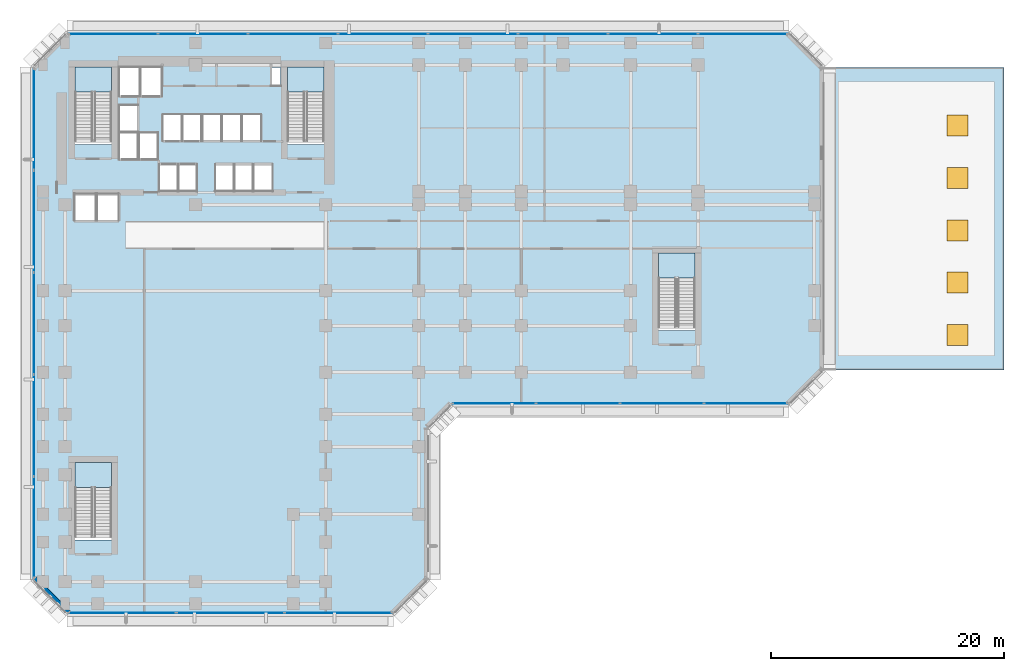
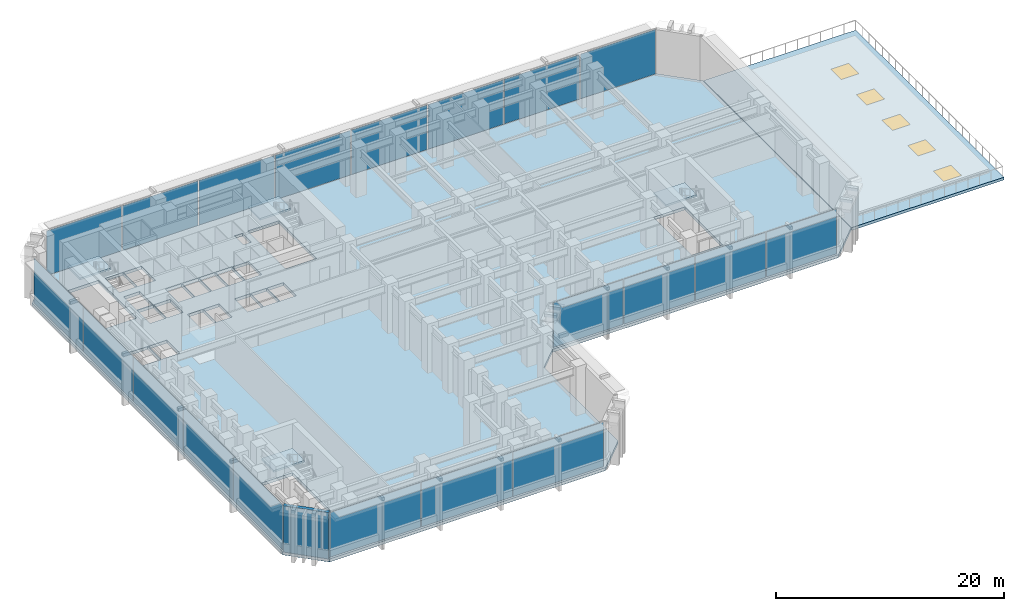
# One storey, part 6 of 16: 20 plates, 6 slabs, 5 windows, 1 wall, 5 openings, 8 elements without a shape of their own.
"""IFC4 building model written with IfcOpenShell, lengths in metres."""

from ifc_helpers import new_model, si_unit, direction, frame, frame_2d, origin, origin_2d, place, context, subcontext, project, spatial, polyline, rectangle, outline, extrude, material, layer, layer_set, type_object, element, fill, aggregate, save


model = new_model("IFC4")

# Units and contexts
model_context = context("Model", 3, precision=1e-05, world=origin(), true_north=direction((0.0, 1.0)))
body_context = subcontext(model_context, "Body", "Model", "MODEL_VIEW")
ifc_project = project(units=[si_unit("LENGTHUNIT", "METRE"), si_unit("AREAUNIT", "SQUARE_METRE"), si_unit("VOLUMEUNIT", "CUBIC_METRE"), si_unit("PLANEANGLEUNIT", "RADIAN"), si_unit("MASSUNIT", "GRAM", prefix="KILO")], contexts=[model_context])

# Site, building, storey
site_placement = place(None, origin())
site = spatial("IfcSite", under=ifc_project, at=site_placement, CompositionType="ELEMENT")
building_placement = place(site_placement, origin())
building = spatial("IfcBuilding", under=site, at=building_placement, Name="Kefirva Bronze Tower", CompositionType="ELEMENT")
storey_placement = place(building_placement, frame((0.0, 0.0, 11.219970703125)))
storey = spatial("IfcBuildingStorey", under=building, at=storey_placement, Name="L02", CompositionType="ELEMENT", Elevation=11.219970703125)

# Slab
ifc_material_1 = material(Name="Concrete C40/50", Category="concrete")
ifc_layer_1 = layer(ifc_material_1, 0.320068359375, Name="Concrete C40/50")
ifc_layer_set_1 = layer_set([ifc_layer_1], Name="Concrete C40/50")
slab_type_1 = type_object("IfcSlabType", Name="RC Podium Floor Slab 320mm", PredefinedType="FLOOR", material=ifc_layer_set_1)
slab_1_placement = place(storey_placement, frame((0.0, 0.0, -0.320068359375)))
element("IfcSlab", 1, at=slab_1_placement, inside=storey, type_object=slab_type_1, Name="L02 Structural Floor Slab", PredefinedType="FLOOR", context=body_context, shape_type="SweptSolid", body=[
    extrude(outline(polyline([(-2.0, 1.0), (-2.0, 45.0), (1.0, 48.0), (63.0, 48.0), (66.0, 45.0), (66.0, 19.0), (63.0, 16.0), (34.0, 16.0), (32.0, 14.0), (32.0, 1.0), (29.0, -2.0), (1.0, -2.0), (-2.0, 1.0)]), holes=[polyline([(54.949951171875, 22.39990234375), (54.949951171875, 29.050048828125), (51.800048828125, 29.050048828125), (51.800048828125, 22.39990234375), (54.949951171875, 22.39990234375)]), polyline([(19.89990234375, 38.39990234375), (23.050048828125, 38.39990234375), (23.050048828125, 45.050048828125), (19.89990234375, 45.050048828125), (19.89990234375, 38.39990234375)]), polyline([(18.52001953125, 43.419921875), (19.320068359375, 43.419921875), (19.320068359375, 45.0), (18.52001953125, 45.0), (18.52001953125, 43.419921875)]), polyline([(17.0, 34.35009765625), (18.64990234375, 34.35009765625), (18.64990234375, 36.64990234375), (17.0, 36.64990234375), (17.0, 34.35009765625)]), polyline([(17.64990234375, 38.679931640625), (17.64990234375, 40.97998046875), (16.0, 40.97998046875), (16.0, 38.679931640625), (17.64990234375, 38.679931640625)]), polyline([(15.35009765625, 34.35009765625), (16.949951171875, 34.35009765625), (16.949951171875, 36.64990234375), (15.35009765625, 36.64990234375), (15.35009765625, 34.35009765625)]), polyline([(14.300048828125, 38.679931640625), (15.929931640625, 38.679931640625), (15.929931640625, 40.97998046875), (14.300048828125, 40.97998046875), (14.300048828125, 38.679931640625)]), polyline([(15.300048828125, 34.35009765625), (15.300048828125, 36.64990234375), (13.699951171875, 36.64990234375), (13.699951171875, 34.35009765625), (15.300048828125, 34.35009765625)]), polyline([(12.60009765625, 38.679931640625), (14.22998046875, 38.679931640625), (14.22998046875, 40.97998046875), (12.60009765625, 40.97998046875), (12.60009765625, 38.679931640625)]), polyline([(12.530029296875, 38.679931640625), (12.530029296875, 40.97998046875), (10.89990234375, 40.97998046875), (10.89990234375, 38.679931640625), (12.530029296875, 38.679931640625)]), polyline([(12.139892578125, 34.35009765625), (12.139892578125, 36.64990234375), (10.5400390625, 36.64990234375), (10.5400390625, 34.35009765625), (12.139892578125, 34.35009765625)]), polyline([(9.199951171875, 38.679931640625), (10.830078125, 38.679931640625), (10.830078125, 40.97998046875), (9.199951171875, 40.97998046875), (9.199951171875, 38.679931640625)]), polyline([(8.89990234375, 34.35009765625), (10.5, 34.35009765625), (10.5, 36.64990234375), (8.89990234375, 36.64990234375), (8.89990234375, 34.35009765625)]), polyline([(7.300048828125, 42.550048828125), (9.1201171875, 42.550048828125), (9.1201171875, 45.050048828125), (7.300048828125, 45.050048828125), (7.300048828125, 42.550048828125)]), polyline([(8.780029296875, 37.10009765625), (8.780029296875, 39.39990234375), (7.139892578125, 39.39990234375), (7.139892578125, 37.10009765625), (8.780029296875, 37.10009765625)]), polyline([(5.419921875, 42.550048828125), (7.239990234375, 42.550048828125), (7.239990234375, 45.050048828125), (5.419921875, 45.050048828125), (5.419921875, 42.550048828125)]), polyline([(5.419921875, 39.47998046875), (7.06005859375, 39.47998046875), (7.06005859375, 41.780029296875), (5.419921875, 41.780029296875), (5.419921875, 39.47998046875)]), polyline([(5.419921875, 37.10009765625), (7.06005859375, 37.10009765625), (7.06005859375, 39.39990234375), (5.419921875, 39.39990234375), (5.419921875, 37.10009765625)]), polyline([(5.39990234375, 31.85009765625), (5.39990234375, 34.14990234375), (3.550048828125, 34.14990234375), (3.550048828125, 31.85009765625), (5.39990234375, 31.85009765625)]), polyline([(4.800048828125, 38.39990234375), (4.800048828125, 45.050048828125), (1.64990234375, 45.050048828125), (1.64990234375, 38.39990234375), (4.800048828125, 38.39990234375)]), polyline([(4.800048828125, 4.39990234375), (4.800048828125, 11.050048828125), (1.64990234375, 11.050048828125), (1.64990234375, 4.39990234375), (4.800048828125, 4.39990234375)]), polyline([(3.449951171875, 31.85009765625), (3.449951171875, 34.14990234375), (1.60009765625, 34.14990234375), (1.60009765625, 31.85009765625), (3.449951171875, 31.85009765625)])]), origin(), (0.0, 0.0, 1.0), 0.320068359375),
])

# Slab, openings, windows
ifc_layer_2 = layer(ifc_material_1, 0.300048828125, Name="Concrete C40/50")
ifc_layer_set_2 = layer_set([ifc_layer_2], Name="Concrete C40/50")
slab_type_2 = type_object("IfcSlabType", Name="RC Podium Outdoor Terrace Slab 300mm", PredefinedType="ROOF", material=ifc_layer_set_2)
slab_2_placement = place(storey_placement, frame((0.0, 0.0, -0.300048828125)))
slab_2 = element("IfcSlab", 2, at=slab_2_placement, inside=storey, type_object=slab_type_2, Name="L02 Planted Sky-Garden Terrace Slab", PredefinedType="ROOF", context=body_context, shape_type="SweptSolid", body=[
    extrude(outline(polyline([(66.050048828125, 19.0), (81.5, 19.0), (81.5, 45.0), (66.050048828125, 45.0), (66.050048828125, 19.0)]), holes=[polyline([(76.60009765625, 21.10009765625), (78.39990234375, 21.10009765625), (78.39990234375, 22.89990234375), (76.60009765625, 22.89990234375), (76.60009765625, 21.10009765625)]), polyline([(76.60009765625, 25.60009765625), (78.39990234375, 25.60009765625), (78.39990234375, 27.39990234375), (76.60009765625, 27.39990234375), (76.60009765625, 25.60009765625)]), polyline([(76.60009765625, 30.10009765625), (78.39990234375, 30.10009765625), (78.39990234375, 31.89990234375), (76.60009765625, 31.89990234375), (76.60009765625, 30.10009765625)]), polyline([(76.60009765625, 34.60009765625), (78.39990234375, 34.60009765625), (78.39990234375, 36.39990234375), (76.60009765625, 36.39990234375), (76.60009765625, 34.60009765625)]), polyline([(76.60009765625, 39.10009765625), (78.39990234375, 39.10009765625), (78.39990234375, 40.89990234375), (76.60009765625, 40.89990234375), (76.60009765625, 39.10009765625)])]), origin(), (0.0, 0.0, 1.0), 0.300048828125),
])
opening_1_placement = place(slab_2_placement, frame((77.5, 22.0, 0.0)))
opening_1 = element("IfcOpeningElement", 3, at=opening_1_placement, cuts=slab_2, Name="Opening SK-01", PredefinedType="OPENING", context=body_context, shape_type="SweptSolid", body=[
    extrude(rectangle(XDim=1.800048828125, YDim=1.800048828125, at=origin_2d()), frame((0.0, 0.0, -0.010009765625)), (0.0, 0.0, 1.0), 0.320068359375),
])
opening_2_placement = place(slab_2_placement, frame((77.5, 26.5, 0.0)))
opening_2 = element("IfcOpeningElement", 4, at=opening_2_placement, cuts=slab_2, Name="Opening SK-01", PredefinedType="OPENING", context=body_context, shape_type="SweptSolid", body=[
    extrude(rectangle(XDim=1.800048828125, YDim=1.800048828125, at=origin_2d()), frame((0.0, 0.0, -0.010009765625)), (0.0, 0.0, 1.0), 0.320068359375),
])
opening_3_placement = place(slab_2_placement, frame((77.5, 31.0, 0.0)))
opening_3 = element("IfcOpeningElement", 5, at=opening_3_placement, cuts=slab_2, Name="Opening SK-01", PredefinedType="OPENING", context=body_context, shape_type="SweptSolid", body=[
    extrude(rectangle(XDim=1.800048828125, YDim=1.800048828125, at=origin_2d()), frame((0.0, 0.0, -0.010009765625)), (0.0, 0.0, 1.0), 0.320068359375),
])
opening_4_placement = place(slab_2_placement, frame((77.5, 35.5, 0.0)))
opening_4 = element("IfcOpeningElement", 6, at=opening_4_placement, cuts=slab_2, Name="Opening SK-01", PredefinedType="OPENING", context=body_context, shape_type="SweptSolid", body=[
    extrude(rectangle(XDim=1.800048828125, YDim=1.800048828125, at=origin_2d()), frame((0.0, 0.0, -0.010009765625)), (0.0, 0.0, 1.0), 0.320068359375),
])
opening_5_placement = place(slab_2_placement, frame((77.5, 40.0, 0.0)))
opening_5 = element("IfcOpeningElement", 7, at=opening_5_placement, cuts=slab_2, Name="Opening SK-01", PredefinedType="OPENING", context=body_context, shape_type="SweptSolid", body=[
    extrude(rectangle(XDim=1.800048828125, YDim=1.800048828125, at=origin_2d()), frame((0.0, 0.0, -0.010009765625)), (0.0, 0.0, 1.0), 0.320068359375),
])
ifc_material_2 = material(Name="Laminated low-E double glazing", Category="glass")
window_type = type_object("IfcWindowType", Name="Podium Concourse Skylight 1800x1800", PartitioningType="SINGLE_PANEL", PredefinedType="SKYLIGHT", material=ifc_material_2)
window_1_placement = place(opening_1_placement, frame((0.0, 0.0, 0.25)))
window_1 = element("IfcWindow", 8, at=window_1_placement, inside=storey, type_object=window_type, Name="L02 Podium Terrace Skylight 1", OverallHeight=1.800048828125, OverallWidth=1.800048828125, PartitioningType="SINGLE_PANEL", PredefinedType="SKYLIGHT", context=body_context, shape_type="SweptSolid", body=[
    extrude(rectangle(XDim=1.800048828125, YDim=1.800048828125, at=origin_2d()), origin(), (0.0, 0.0, 1.0), 0.050048828125),
])
fill(opening_1, window_1)
window_2_placement = place(opening_2_placement, frame((0.0, 0.0, 0.25)))
window_2 = element("IfcWindow", 9, at=window_2_placement, inside=storey, type_object=window_type, Name="L02 Podium Terrace Skylight 2", OverallHeight=1.800048828125, OverallWidth=1.800048828125, PartitioningType="SINGLE_PANEL", PredefinedType="SKYLIGHT", context=body_context, shape_type="SweptSolid", body=[
    extrude(rectangle(XDim=1.800048828125, YDim=1.800048828125, at=origin_2d()), origin(), (0.0, 0.0, 1.0), 0.050048828125),
])
fill(opening_2, window_2)
window_3_placement = place(opening_3_placement, frame((0.0, 0.0, 0.25)))
window_3 = element("IfcWindow", 10, at=window_3_placement, inside=storey, type_object=window_type, Name="L02 Podium Terrace Skylight 3", OverallHeight=1.800048828125, OverallWidth=1.800048828125, PartitioningType="SINGLE_PANEL", PredefinedType="SKYLIGHT", context=body_context, shape_type="SweptSolid", body=[
    extrude(rectangle(XDim=1.800048828125, YDim=1.800048828125, at=origin_2d()), origin(), (0.0, 0.0, 1.0), 0.050048828125),
])
fill(opening_3, window_3)
window_4_placement = place(opening_4_placement, frame((0.0, 0.0, 0.25)))
window_4 = element("IfcWindow", 11, at=window_4_placement, inside=storey, type_object=window_type, Name="L02 Podium Terrace Skylight 4", OverallHeight=1.800048828125, OverallWidth=1.800048828125, PartitioningType="SINGLE_PANEL", PredefinedType="SKYLIGHT", context=body_context, shape_type="SweptSolid", body=[
    extrude(rectangle(XDim=1.800048828125, YDim=1.800048828125, at=origin_2d()), origin(), (0.0, 0.0, 1.0), 0.050048828125),
])
fill(opening_4, window_4)
window_5_placement = place(opening_5_placement, frame((0.0, 0.0, 0.25)))
window_5 = element("IfcWindow", 12, at=window_5_placement, inside=storey, type_object=window_type, Name="L02 Podium Terrace Skylight 5", OverallHeight=1.800048828125, OverallWidth=1.800048828125, PartitioningType="SINGLE_PANEL", PredefinedType="SKYLIGHT", context=body_context, shape_type="SweptSolid", body=[
    extrude(rectangle(XDim=1.800048828125, YDim=1.800048828125, at=origin_2d()), origin(), (0.0, 0.0, 1.0), 0.050048828125),
])
fill(opening_5, window_5)

# Stair, slab
stair_type = type_object("IfcStairType", Name="RC Dogleg Protected Stair 32R", PredefinedType="HALF_TURN_STAIR", material=ifc_material_1)
stair_1_placement = place(storey_placement, origin())
stair_1 = element("IfcStair", 13, at=stair_1_placement, inside=storey, type_object=stair_type, Name="L02 Protected Exit Stair 1", PredefinedType="HALF_TURN_STAIR")
ifc_layer_3 = layer(ifc_material_1, 0.199951171875, Name="Concrete C40/50")
ifc_layer_set_3 = layer_set([ifc_layer_3], Name="Concrete C40/50")
slab_type_3 = type_object("IfcSlabType", Name="RC Stair Landing Slab 200mm", PredefinedType="LANDING", material=ifc_layer_set_3)
slab_3_placement = place(storey_placement, frame((0.0, 0.0, 2.43994140625)))
slab_3 = element("IfcSlab", 14, at=slab_3_placement, type_object=slab_type_3, Name="ST-1 landing 1", PredefinedType="LANDING", context=body_context, shape_type="SweptSolid", body=[
    extrude(outline(polyline([(4.800048828125, 42.89990234375), (4.800048828125, 45.050048828125), (1.64990234375, 45.050048828125), (1.64990234375, 42.89990234375), (4.800048828125, 42.89990234375)])), origin(), (0.0, 0.0, 1.0), 0.2001953125),
])
aggregate(stair_1, [slab_3])

stair_2_placement = place(storey_placement, origin())
stair_2 = element("IfcStair", 15, at=stair_2_placement, inside=storey, type_object=stair_type, Name="L02 Protected Exit Stair 2", PredefinedType="HALF_TURN_STAIR")
slab_4_placement = place(storey_placement, frame((0.0, 0.0, 2.43994140625)))
slab_4 = element("IfcSlab", 16, at=slab_4_placement, type_object=slab_type_3, Name="ST-2 landing 1", PredefinedType="LANDING", context=body_context, shape_type="SweptSolid", body=[
    extrude(outline(polyline([(23.050048828125, 42.89990234375), (23.050048828125, 45.050048828125), (19.89990234375, 45.050048828125), (19.89990234375, 42.89990234375), (23.050048828125, 42.89990234375)])), origin(), (0.0, 0.0, 1.0), 0.2001953125),
])
aggregate(stair_2, [slab_4])

stair_3_placement = place(storey_placement, origin())
stair_3 = element("IfcStair", 17, at=stair_3_placement, inside=storey, type_object=stair_type, Name="L02 Podium Exit Stair 3", PredefinedType="HALF_TURN_STAIR")
slab_5_placement = place(storey_placement, frame((0.0, 0.0, 2.43994140625)))
slab_5 = element("IfcSlab", 18, at=slab_5_placement, type_object=slab_type_3, Name="ST-3 landing 1", PredefinedType="LANDING", context=body_context, shape_type="SweptSolid", body=[
    extrude(outline(polyline([(4.800048828125, 8.89990234375), (4.800048828125, 11.050048828125), (1.64990234375, 11.050048828125), (1.64990234375, 8.89990234375), (4.800048828125, 8.89990234375)])), origin(), (0.0, 0.0, 1.0), 0.2001953125),
])
aggregate(stair_3, [slab_5])

stair_4_placement = place(storey_placement, origin())
stair_4 = element("IfcStair", 19, at=stair_4_placement, inside=storey, type_object=stair_type, Name="L02 Podium Exit Stair 4", PredefinedType="HALF_TURN_STAIR")
slab_6_placement = place(storey_placement, frame((0.0, 0.0, 2.43994140625)))
slab_6 = element("IfcSlab", 20, at=slab_6_placement, type_object=slab_type_3, Name="ST-4 landing 1", PredefinedType="LANDING", context=body_context, shape_type="SweptSolid", body=[
    extrude(outline(polyline([(54.949951171875, 26.89990234375), (54.949951171875, 29.050048828125), (51.800048828125, 29.050048828125), (51.800048828125, 26.89990234375), (54.949951171875, 26.89990234375)])), origin(), (0.0, 0.0, 1.0), 0.2001953125),
])
aggregate(stair_4, [slab_6])

# Curtain wall, plates
ifc_material_3 = material(Name="Bronze anodised aluminium", Category="aluminium")
ifc_layer_4 = layer(ifc_material_3, 0.239990234375, Name="Bronze anodised aluminium")
ifc_layer_set_4 = layer_set([ifc_layer_4], Name="Bronze anodised aluminium")
curtain_wall_type = type_object("IfcCurtainWallType", Name="Podium Double-Height Glazed Curtain Wall", PredefinedType="USERDEFINED", material=ifc_layer_set_4)
curtain_wall_1_placement = place(storey_placement, origin())
curtain_wall_1 = element("IfcCurtainWall", 21, at=curtain_wall_1_placement, inside=storey, type_object=curtain_wall_type, Name="L02 Curtain Wall 1", ObjectType="UNITISED CURTAIN WALL", PredefinedType="USERDEFINED")
ifc_layer_5 = layer(ifc_material_2, 0.031982421875, Name="Laminated low-E double glazing")
ifc_layer_set_5 = layer_set([ifc_layer_5], Name="Laminated low-E double glazing")
plate_type = type_object("IfcPlateType", Name="Solar-Control Low-E Vision Panel 32mm", PredefinedType="CURTAIN_PANEL", material=ifc_layer_set_5)
plate_1_placement = place(storey_placement, frame((5.725830078125, -1.8798828125, 0.08984375), z_axis=(0.0, 0.0, 1.0), x_axis=(1.0, 0.0, 0.0)))
plate_1 = element("IfcPlate", 22, at=plate_1_placement, type_object=plate_type, Name="CW-05 panel 1.1", PredefinedType="CURTAIN_PANEL", context=body_context, shape_type="SweptSolid", body=[
    extrude(rectangle(XDim=9.16162109375, YDim=0.031982421875, at=origin_2d()), origin(), (0.0, 0.0, 1.0), 4.780029296875),
])
plate_2_placement = place(storey_placement, frame((15.0, -1.8798828125, 0.08984375), z_axis=(0.0, 0.0, 1.0), x_axis=(1.0, 0.0, 0.0)))
plate_2 = element("IfcPlate", 23, at=plate_2_placement, type_object=plate_type, Name="CW-05 panel 2.1", PredefinedType="CURTAIN_PANEL", context=body_context, shape_type="SweptSolid", body=[
    extrude(rectangle(XDim=9.206787109375, YDim=0.031982421875, at=origin_2d()), origin(), (0.0, 0.0, 1.0), 4.780029296875),
])
plate_3_placement = place(storey_placement, frame((24.274169921875, -1.8798828125, 0.08984375), z_axis=(0.0, 0.0, 1.0), x_axis=(1.0, 0.0, 0.0)))
plate_3 = element("IfcPlate", 24, at=plate_3_placement, type_object=plate_type, Name="CW-05 panel 3.1", PredefinedType="CURTAIN_PANEL", context=body_context, shape_type="SweptSolid", body=[
    extrude(rectangle(XDim=9.16162109375, YDim=0.031982421875, at=origin_2d()), origin(), (0.0, 0.0, 1.0), 4.780029296875),
])
aggregate(curtain_wall_1, [plate_1, plate_2, plate_3])

curtain_wall_2_placement = place(storey_placement, origin())
curtain_wall_2 = element("IfcCurtainWall", 25, at=curtain_wall_2_placement, inside=storey, type_object=curtain_wall_type, Name="L02 Curtain Wall 2", ObjectType="UNITISED CURTAIN WALL", PredefinedType="USERDEFINED")
plate_4_placement = place(storey_placement, frame((37.688720703125, 16.1201171875, 0.08984375), z_axis=(0.0, 0.0, 1.0), x_axis=(1.0, 0.0, 0.0)))
plate_4 = element("IfcPlate", 26, at=plate_4_placement, type_object=plate_type, Name="CW-05 panel 1.1", PredefinedType="CURTAIN_PANEL", context=body_context, shape_type="SweptSolid", body=[
    extrude(rectangle(XDim=7.08740234375, YDim=0.031982421875, at=origin_2d()), origin(), (0.0, 0.0, 1.0), 4.780029296875),
])
plate_5_placement = place(storey_placement, frame((44.888671875, 16.1201171875, 0.08984375), z_axis=(0.0, 0.0, 1.0), x_axis=(1.0, 0.0, 0.0)))
plate_5 = element("IfcPlate", 27, at=plate_5_placement, type_object=plate_type, Name="CW-05 panel 2.1", PredefinedType="CURTAIN_PANEL", context=body_context, shape_type="SweptSolid", body=[
    extrude(rectangle(XDim=7.132568359375, YDim=0.031982421875, at=origin_2d()), origin(), (0.0, 0.0, 1.0), 4.780029296875),
])
plate_6_placement = place(storey_placement, frame((52.111328125, 16.1201171875, 0.08984375), z_axis=(0.0, 0.0, 1.0), x_axis=(1.0, 0.0, 0.0)))
plate_6 = element("IfcPlate", 28, at=plate_6_placement, type_object=plate_type, Name="CW-05 panel 3.1", PredefinedType="CURTAIN_PANEL", context=body_context, shape_type="SweptSolid", body=[
    extrude(rectangle(XDim=7.132568359375, YDim=0.031982421875, at=origin_2d()), origin(), (0.0, 0.0, 1.0), 4.780029296875),
])
plate_7_placement = place(storey_placement, frame((59.311279296875, 16.1201171875, 0.08984375), z_axis=(0.0, 0.0, 1.0), x_axis=(1.0, 0.0, 0.0)))
plate_7 = element("IfcPlate", 29, at=plate_7_placement, type_object=plate_type, Name="CW-05 panel 4.1", PredefinedType="CURTAIN_PANEL", context=body_context, shape_type="SweptSolid", body=[
    extrude(rectangle(XDim=7.08740234375, YDim=0.031982421875, at=origin_2d()), origin(), (0.0, 0.0, 1.0), 4.780029296875),
])
aggregate(curtain_wall_2, [plate_4, plate_5, plate_6, plate_7])

curtain_wall_3_placement = place(storey_placement, origin())
curtain_wall_3 = element("IfcCurtainWall", 30, at=curtain_wall_3_placement, inside=storey, type_object=curtain_wall_type, Name="L02 Curtain Wall 3", ObjectType="UNITISED CURTAIN WALL", PredefinedType="USERDEFINED")
plate_8_placement = place(storey_placement, frame((59.054443359375, 47.8798828125, 0.08984375), z_axis=(0.0, 0.0, 1.0), x_axis=(-1.0, 0.0, 0.0)))
plate_8 = element("IfcPlate", 31, at=plate_8_placement, type_object=plate_type, Name="CW-05 panel 1.1", PredefinedType="CURTAIN_PANEL", context=body_context, shape_type="SweptSolid", body=[
    extrude(rectangle(XDim=7.601318359375, YDim=0.031982421875, at=origin_2d()), origin(), (0.0, 0.0, 1.0), 4.780029296875),
])
plate_9_placement = place(storey_placement, frame((51.340576171875, 47.8798828125, 0.08984375), z_axis=(0.0, 0.0, 1.0), x_axis=(-1.0, 0.0, 0.0)))
plate_9 = element("IfcPlate", 32, at=plate_9_placement, type_object=plate_type, Name="CW-05 panel 2.1", PredefinedType="CURTAIN_PANEL", context=body_context, shape_type="SweptSolid", body=[
    extrude(rectangle(XDim=7.646240234375, YDim=0.031982421875, at=origin_2d()), origin(), (0.0, 0.0, 1.0), 4.780029296875),
])
plate_10_placement = place(storey_placement, frame((43.6044921875, 47.8798828125, 0.08984375), z_axis=(0.0, 0.0, 1.0), x_axis=(-1.0, 0.0, 0.0)))
plate_10 = element("IfcPlate", 33, at=plate_10_placement, type_object=plate_type, Name="CW-05 panel 3.1", PredefinedType="CURTAIN_PANEL", context=body_context, shape_type="SweptSolid", body=[
    extrude(rectangle(XDim=7.646240234375, YDim=0.031982421875, at=origin_2d()), origin(), (0.0, 0.0, 1.0), 4.780029296875),
])
plate_11_placement = place(storey_placement, frame((35.8681640625, 47.8798828125, 0.08984375), z_axis=(0.0, 0.0, 1.0), x_axis=(-1.0, 0.0, 0.0)))
plate_11 = element("IfcPlate", 34, at=plate_11_placement, type_object=plate_type, Name="CW-05 panel 4.1", PredefinedType="CURTAIN_PANEL", context=body_context, shape_type="SweptSolid", body=[
    extrude(rectangle(XDim=7.646240234375, YDim=0.031982421875, at=origin_2d()), origin(), (0.0, 0.0, 1.0), 4.780029296875),
])
plate_12_placement = place(storey_placement, frame((28.1318359375, 47.8798828125, 0.08984375), z_axis=(0.0, 0.0, 1.0), x_axis=(-1.0, 0.0, 0.0)))
plate_12 = element("IfcPlate", 35, at=plate_12_placement, type_object=plate_type, Name="CW-05 panel 5.1", PredefinedType="CURTAIN_PANEL", context=body_context, shape_type="SweptSolid", body=[
    extrude(rectangle(XDim=7.646240234375, YDim=0.031982421875, at=origin_2d()), origin(), (0.0, 0.0, 1.0), 4.780029296875),
])
plate_13_placement = place(storey_placement, frame((20.3955078125, 47.8798828125, 0.08984375), z_axis=(0.0, 0.0, 1.0), x_axis=(-1.0, 0.0, 0.0)))
plate_13 = element("IfcPlate", 36, at=plate_13_placement, type_object=plate_type, Name="CW-05 panel 6.1", PredefinedType="CURTAIN_PANEL", context=body_context, shape_type="SweptSolid", body=[
    extrude(rectangle(XDim=7.646240234375, YDim=0.031982421875, at=origin_2d()), origin(), (0.0, 0.0, 1.0), 4.780029296875),
])
plate_14_placement = place(storey_placement, frame((12.659423828125, 47.8798828125, 0.08984375), z_axis=(0.0, 0.0, 1.0), x_axis=(-1.0, 0.0, 0.0)))
plate_14 = element("IfcPlate", 37, at=plate_14_placement, type_object=plate_type, Name="CW-05 panel 7.1", PredefinedType="CURTAIN_PANEL", context=body_context, shape_type="SweptSolid", body=[
    extrude(rectangle(XDim=7.646240234375, YDim=0.031982421875, at=origin_2d()), origin(), (0.0, 0.0, 1.0), 4.780029296875),
])
plate_15_placement = place(storey_placement, frame((4.945556640625, 47.8798828125, 0.08984375), z_axis=(0.0, 0.0, 1.0), x_axis=(-1.0, 0.0, 0.0)))
plate_15 = element("IfcPlate", 38, at=plate_15_placement, type_object=plate_type, Name="CW-05 panel 8.1", PredefinedType="CURTAIN_PANEL", context=body_context, shape_type="SweptSolid", body=[
    extrude(rectangle(XDim=7.601318359375, YDim=0.031982421875, at=origin_2d()), origin(), (0.0, 0.0, 1.0), 4.780029296875),
])
aggregate(curtain_wall_3, [plate_8, plate_9, plate_10, plate_11, plate_12, plate_13, plate_14, plate_15])

curtain_wall_4_placement = place(storey_placement, origin())
curtain_wall_4 = element("IfcCurtainWall", 39, at=curtain_wall_4_placement, inside=storey, type_object=curtain_wall_type, Name="L02 Curtain Wall 4", ObjectType="UNITISED CURTAIN WALL", PredefinedType="USERDEFINED")
plate_16_placement = place(storey_placement, frame((-1.8798828125, 40.533447265625, 0.08984375), z_axis=(0.0, 0.0, 1.0), x_axis=(0.0, -1.0, 0.0)))
plate_16 = element("IfcPlate", 40, at=plate_16_placement, type_object=plate_type, Name="CW-05 panel 1.1", PredefinedType="CURTAIN_PANEL", context=body_context, shape_type="SweptSolid", body=[
    extrude(rectangle(XDim=8.64306640625, YDim=0.031982421875, at=origin_2d()), origin(), (0.0, 0.0, 1.0), 4.780029296875),
])
plate_17_placement = place(storey_placement, frame((-1.8798828125, 31.778076171875, 0.08984375), z_axis=(0.0, 0.0, 1.0), x_axis=(0.0, -1.0, 0.0)))
plate_17 = element("IfcPlate", 41, at=plate_17_placement, type_object=plate_type, Name="CW-05 panel 2.1", PredefinedType="CURTAIN_PANEL", context=body_context, shape_type="SweptSolid", body=[
    extrude(rectangle(XDim=8.68798828125, YDim=0.031982421875, at=origin_2d()), origin(), (0.0, 0.0, 1.0), 4.780029296875),
])
plate_18_placement = place(storey_placement, frame((-1.8798828125, 23.0, 0.08984375), z_axis=(0.0, 0.0, 1.0), x_axis=(0.0, -1.0, 0.0)))
plate_18 = element("IfcPlate", 42, at=plate_18_placement, type_object=plate_type, Name="CW-05 panel 3.1", PredefinedType="CURTAIN_PANEL", context=body_context, shape_type="SweptSolid", body=[
    extrude(rectangle(XDim=8.68798828125, YDim=0.031982421875, at=origin_2d()), origin(), (0.0, 0.0, 1.0), 4.780029296875),
])
plate_19_placement = place(storey_placement, frame((-1.8798828125, 14.221923828125, 0.08984375), z_axis=(0.0, 0.0, 1.0), x_axis=(0.0, -1.0, 0.0)))
plate_19 = element("IfcPlate", 43, at=plate_19_placement, type_object=plate_type, Name="CW-05 panel 4.1", PredefinedType="CURTAIN_PANEL", context=body_context, shape_type="SweptSolid", body=[
    extrude(rectangle(XDim=8.68798828125, YDim=0.031982421875, at=origin_2d()), origin(), (0.0, 0.0, 1.0), 4.780029296875),
])
plate_20_placement = place(storey_placement, frame((-1.8798828125, 5.466552734375, 0.08984375), z_axis=(0.0, 0.0, 1.0), x_axis=(0.0, -1.0, 0.0)))
plate_20 = element("IfcPlate", 44, at=plate_20_placement, type_object=plate_type, Name="CW-05 panel 5.1", PredefinedType="CURTAIN_PANEL", context=body_context, shape_type="SweptSolid", body=[
    extrude(rectangle(XDim=8.64306640625, YDim=0.031982421875, at=origin_2d()), origin(), (0.0, 0.0, 1.0), 4.780029296875),
])
aggregate(curtain_wall_4, [plate_16, plate_17, plate_18, plate_19, plate_20])

# Wall
ifc_material_4 = material(Name="Precast concrete C40/50", Category="concrete")
ifc_layer_6 = layer(ifc_material_4, 0.360107421875, Name="Precast concrete C40/50")
ifc_layer_set_6 = layer_set([ifc_layer_6], Name="Precast concrete C40/50")
wall_type = type_object("IfcWallType", Name="Precast Podium Facade Wall 360mm", PredefinedType="SOLIDWALL", material=ifc_layer_set_6)
wall_placement = place(storey_placement, frame((-1.833740234375, 1.08837890625, 0.0), z_axis=(0.0, 0.0, 1.0), x_axis=(0.707106781187, -0.707106781187, 0.0)))
element("IfcWall", 45, at=wall_placement, inside=storey, type_object=wall_type, Name="L02 Exterior Facade Wall 8", PredefinedType="SOLIDWALL", context=body_context, shape_type="SweptSolid", body=[
    extrude(rectangle(XDim=4.132568359375, YDim=0.360107421875, at=frame_2d((2.06640625, 0.0))), origin(), (0.0, 0.0, 1.0), 4.9599609375),
])

save(model, "model.ifc")
